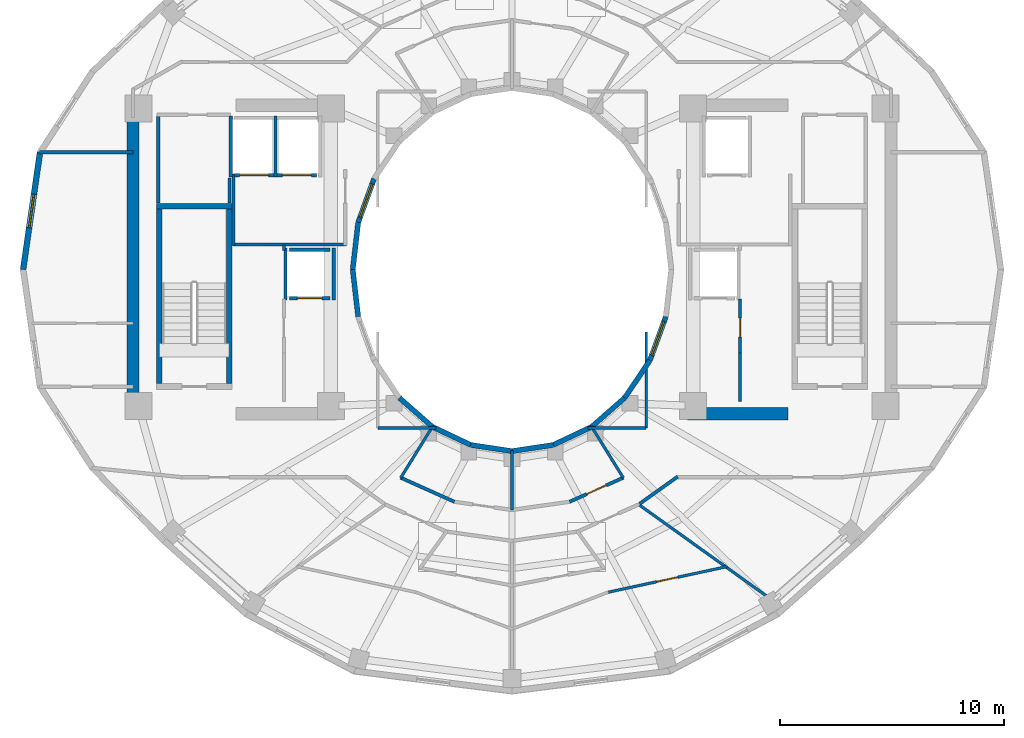
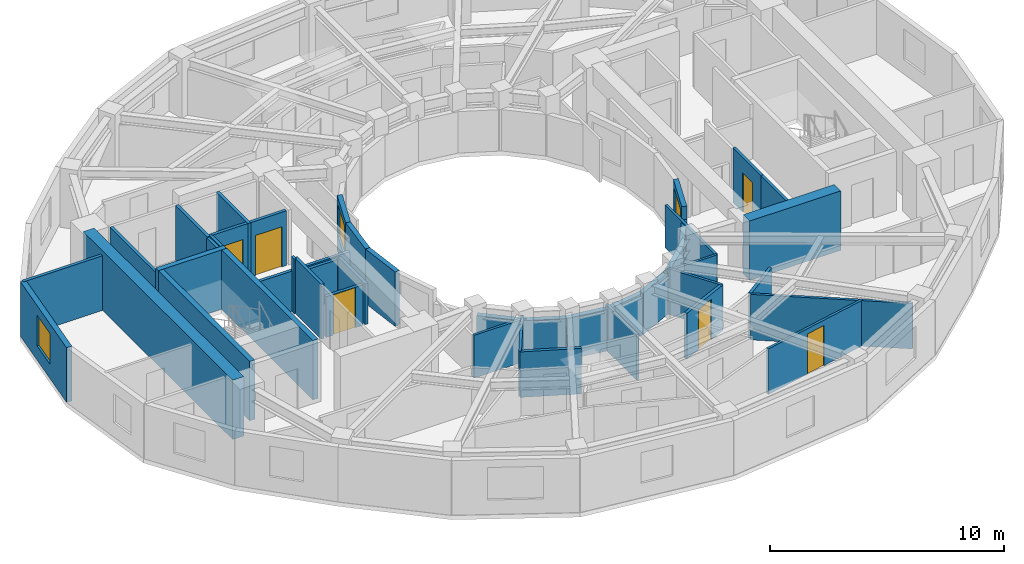
# One storey, part 4 of 9: 44 walls, 6 doors, 3 windows, 9 openings.
"""IFC4 building model written with IfcOpenShell, lengths in metres."""

import ifcopenshell
import ifcopenshell.guid

model = None  # the IFC model being written
_history = None  # IfcOwnerHistory: only IFC2X3 demands one
_inside = {}  # id of a spatial element -> (the spatial element, [elements in it])
_under = {}  # id of a project, library or spatial element -> (it, [spatial elements below it])
_declared = {}  # id of a project -> (the project, [libraries it declares])
_typed = {}  # id of a type object -> (the type object, [elements of that type])
_made_of = {}  # id of a material, layer set ... -> (it, [elements and type objects made of it])


def new_model(schema):
    """Start an empty IFC model of exactly this schema.

    Asked for "IFC4X3", IfcOpenShell would pick the latest addendum, in which some entities
    have other attributes; the version numbers below select the first issue.
    IFC2X3 requires an IfcOwnerHistory on every rooted entity: one is made here for all.
    """
    global model, _history
    if schema == "IFC4X3":
        model = ifcopenshell.file(schema_version=(4, 3, 0, 0))
    else:
        model = ifcopenshell.file(schema=schema)
    _inside.clear()
    _under.clear()
    _declared.clear()
    _typed.clear()
    _made_of.clear()
    _history = None
    if model.schema == "IFC2X3":
        org = make("IfcOrganization", Name="unknown")
        user = make(
            "IfcPersonAndOrganization",
            ThePerson=make("IfcPerson", FamilyName="unknown"),
            TheOrganization=org,
        )
        app = make(
            "IfcApplication",
            ApplicationDeveloper=org,
            Version="unknown",
            ApplicationFullName="unknown",
            ApplicationIdentifier="unknown",
        )
        _history = make(
            "IfcOwnerHistory",
            OwningUser=user,
            OwningApplication=app,
            ChangeAction="ADDED",
            CreationDate=0,
        )
    return model


def make(cls, **values):
    """One entity of the class cls with the attributes given. An attribute that is None is left unset."""
    return model.create_entity(
        cls, **{name: value for name, value in values.items() if value is not None}
    )


def rooted(cls, **values):
    """An entity with a GlobalId (a new one), such as an element, a storey or a relation."""
    return make(cls, GlobalId=ifcopenshell.guid.new(), OwnerHistory=_history, **values)


def si_unit(unit_type, name, prefix=None):
    """IfcSIUnit, for example si_unit("LENGTHUNIT", "METRE", prefix="MILLI")."""
    return make("IfcSIUnit", UnitType=unit_type, Prefix=prefix, Name=name)


def assignment(units):
    """IfcUnitAssignment: the units of a project."""
    return None if units is None else make("IfcUnitAssignment", Units=units)


def point(xyz):
    """IfcCartesianPoint."""
    return None if xyz is None else make("IfcCartesianPoint", Coordinates=xyz)


def direction(xyz):
    """IfcDirection."""
    return None if xyz is None else make("IfcDirection", DirectionRatios=xyz)


def frame(location, z_axis=None, x_axis=None):
    """IfcAxis2Placement3D, a coordinate frame: its origin and axes. An axis left out is left unset."""
    return make(
        "IfcAxis2Placement3D",
        Location=point(location),
        Axis=direction(z_axis),
        RefDirection=direction(x_axis),
    )


def frame_2d(location, x_axis=None):
    """IfcAxis2Placement2D, a coordinate frame in the plane: its origin and x axis."""
    return make(
        "IfcAxis2Placement2D", Location=point(location), RefDirection=direction(x_axis)
    )


def origin():
    """The frame at (0, 0, 0) with its axes left unset."""
    return frame((0.0, 0.0, 0.0))


def place(relative_to, where):
    """IfcLocalPlacement: puts the frame where relative to a parent placement (None: the world)."""
    return make(
        "IfcLocalPlacement", PlacementRelTo=relative_to, RelativePlacement=where
    )


def context(
    kind, dimensions, precision=None, world=None, true_north=None, identifier=None
):
    """IfcGeometricRepresentationContext, for example the 3D "Model" context."""
    return make(
        "IfcGeometricRepresentationContext",
        ContextIdentifier=identifier,
        ContextType=kind,
        CoordinateSpaceDimension=dimensions,
        Precision=precision,
        WorldCoordinateSystem=world,
        TrueNorth=true_north,
    )


def subcontext(parent, identifier, kind, view, scale=None):
    """IfcGeometricRepresentationSubContext, for example "Body" below "Model"."""
    return make(
        "IfcGeometricRepresentationSubContext",
        ContextIdentifier=identifier,
        ContextType=kind,
        ParentContext=parent,
        TargetScale=scale,
        TargetView=view,
    )


def project(units=None, contexts=None):
    """IfcProject with its units and contexts."""
    return rooted(
        "IfcProject",
        Name="project",
        RepresentationContexts=contexts,
        UnitsInContext=assignment(units),
    )


def spatial(cls, under=None, at=None, **own):
    """A site, building, storey or space (cls), placed at a placement, below another one or the project."""
    s = rooted(cls, ObjectPlacement=at, **own)
    if under is not None:
        _under.setdefault(under.id(), (under, []))[1].append(s)
    return s


def profile(cls, at=None, kind="AREA", **sizes):
    """A parametric profile (cls). Its sizes go by their IFC names, for example OverallWidth=200.0."""
    return make(cls, ProfileType=kind, Position=at, **sizes)


def rectangle(**sizes):
    """IfcRectangleProfileDef."""
    return profile("IfcRectangleProfileDef", **sizes)


def extrude(swept, where, along, depth):
    """IfcExtrudedAreaSolid: the profile swept, set in the frame where, extruded along a direction by depth."""
    return make(
        "IfcExtrudedAreaSolid",
        SweptArea=swept,
        Position=where,
        ExtrudedDirection=direction(along),
        Depth=depth,
    )


def shape(context_of_items, identifier, shape_type, items):
    """IfcShapeRepresentation: the items that make up one representation, for example the "Body"."""
    return make(
        "IfcShapeRepresentation",
        ContextOfItems=context_of_items,
        RepresentationIdentifier=identifier,
        RepresentationType=shape_type,
        Items=items,
    )


def material(Name=None, Category=None):
    """IfcMaterial."""
    return make("IfcMaterial", Name=Name, Category=Category)


def layer(
    of_material, thickness, ventilated=None, Name=None, Category=None, Priority=None
):
    """IfcMaterialLayer: one layer of a wall or slab, of a material (None: an air gap)."""
    return make(
        "IfcMaterialLayer",
        Material=of_material,
        LayerThickness=thickness,
        IsVentilated=ventilated,
        Name=Name,
        Category=Category,
        Priority=Priority,
    )


def layer_set(layers, Name=None):
    """IfcMaterialLayerSet."""
    return make("IfcMaterialLayerSet", MaterialLayers=layers, LayerSetName=Name)


def made_of(thing, what):
    """Note that an element or type object is made of a material, layer set ...; save() writes the relation."""
    if what is not None:
        _made_of.setdefault(what.id(), (what, []))[1].append(thing)
    return thing


def type_object(cls, material=None, **own):
    """A type object (cls), such as IfcWallType, which elements share."""
    return made_of(rooted(cls, **own), material)


def element(
    cls,
    number,
    at=None,
    inside=None,
    cuts=None,
    type_object=None,
    material=None,
    context=None,
    identifier="Body",
    shape_type=None,
    held_by="IfcProductDefinitionShape",
    body=None,
    shapes=None,
    **own,
):
    """One element of the class cls, such as IfcWall. Its Tag is "e" and its number.

    at: its placement. inside: the storey or other place that contains it. cuts: it is an
    opening in that element (IfcRelVoidsElement). A single representation is given by context,
    identifier, shape_type and body (its items); several are given by shapes. held_by: the class
    of the entity that holds the representations. save() writes the other relations.
    """
    e = rooted(cls, Tag="e%d" % number, ObjectPlacement=at, **own)
    if body is not None:
        shapes = [shape(context, identifier, shape_type, body)]
    if shapes is not None:
        e.Representation = make(held_by, Representations=shapes)
    if inside is not None:
        _inside.setdefault(inside.id(), (inside, []))[1].append(e)
    if cuts is not None:
        rooted(
            "IfcRelVoidsElement", RelatingBuildingElement=cuts, RelatedOpeningElement=e
        )
    if type_object is not None:
        _typed.setdefault(type_object.id(), (type_object, []))[1].append(e)
    return made_of(e, material)


def fill(opening, filler):
    """IfcRelFillsElement: the door or window that sits in an opening."""
    return rooted(
        "IfcRelFillsElement",
        RelatingOpeningElement=opening,
        RelatedBuildingElement=filler,
    )


def aggregate(whole, parts):
    """IfcRelAggregates: a whole, such as a stair, and the parts it consists of."""
    return rooted("IfcRelAggregates", RelatingObject=whole, RelatedObjects=parts)


def save(model, path):
    """Write the relations noted so far, then the file.

    IfcRelAggregates (storeys below a building ...), IfcRelContainedInSpatialStructure (elements
    in a storey), IfcRelDefinesByType, IfcRelAssociatesMaterial and IfcRelDeclares: one each for
    every whole, place, type object, material and project.
    """
    for whole, parts in _under.values():
        aggregate(whole, parts)
    for where, things in _inside.values():
        rooted(
            "IfcRelContainedInSpatialStructure",
            RelatedElements=things,
            RelatingStructure=where,
        )
    for kind, things in _typed.values():
        rooted("IfcRelDefinesByType", RelatedObjects=things, RelatingType=kind)
    for what, things in _made_of.values():
        rooted("IfcRelAssociatesMaterial", RelatedObjects=things, RelatingMaterial=what)
    for by, libraries in _declared.values():
        rooted("IfcRelDeclares", RelatingContext=by, RelatedDefinitions=libraries)
    model.write(path)


model = new_model("IFC4")

# Units and contexts
model_context = context("Model", 3, precision=1e-05, world=origin(), true_north=direction((0.0, 1.0)))
body_context = subcontext(model_context, "Body", "Model", "MODEL_VIEW")
ifc_project = project(units=[si_unit("LENGTHUNIT", "METRE"), si_unit("AREAUNIT", "SQUARE_METRE"), si_unit("VOLUMEUNIT", "CUBIC_METRE"), si_unit("PLANEANGLEUNIT", "RADIAN"), si_unit("MASSUNIT", "GRAM", prefix="KILO")], contexts=[model_context])

# Site, building, storey
site_placement = place(None, origin())
site = spatial("IfcSite", under=ifc_project, at=site_placement, CompositionType="ELEMENT")
building_placement = place(site_placement, origin())
building = spatial("IfcBuilding", under=site, at=building_placement, Name="Solvane Sanctuary Tower", CompositionType="ELEMENT")
storey_placement = place(building_placement, frame((0.0, 0.0, 223.300048828125)))
storey = spatial("IfcBuildingStorey", under=building, at=storey_placement, Name="L68", CompositionType="ELEMENT", Elevation=223.300048828125)

# Walls
ifc_material_1 = material(Name="Concrete C50/60", Category="concrete")
ifc_layer_1 = layer(ifc_material_1, 0.550048828125, Name="Concrete C50/60")
ifc_layer_set_1 = layer_set([ifc_layer_1], Name="Concrete C50/60")
wall_type_1 = type_object("IfcWallType", Name="Wall W-CORE-550", PredefinedType="SHEAR", material=ifc_layer_set_1)
wall_1_placement = place(storey_placement, frame((15.050048828125, 17.050048828125, 0.0), z_axis=(0.0, 0.0, 1.0), x_axis=(0.0, 1.0, 0.0)))
element("IfcWall", 1, at=wall_1_placement, inside=storey, type_object=wall_type_1, Name="L68 Core Shear Wall WC-W", PredefinedType="SHEAR", context=body_context, shape_type="SweptSolid", body=[
    extrude(rectangle(XDim=12.800048828125, YDim=0.550048828125, at=frame_2d((6.39990234375, 0.0))), origin(), (0.0, 0.0, 1.0), 3.099853515625),
])
wall_2_placement = place(storey_placement, frame((39.85009765625, 16.550048828125, 0.0), z_axis=(0.0, 0.0, 1.0), x_axis=(1.0, 0.0, 0.0)))
element("IfcWall", 2, at=wall_2_placement, inside=storey, type_object=wall_type_1, Name="L68 Core Shear Wall EC-S", PredefinedType="SHEAR", context=body_context, shape_type="SweptSolid", body=[
    extrude(rectangle(XDim=4.5, YDim=0.550048828125, at=frame_2d((2.25, 0.0))), origin(), (0.0, 0.0, 1.0), 3.099853515625),
])
ifc_material_2 = material(Name="Acoustic Gypsum Partition Board")
ifc_layer_2 = layer(ifc_material_2, 0.14990234375, Name="Acoustic Gypsum Partition Board")
ifc_layer_set_2 = layer_set([ifc_layer_2], Name="Acoustic Gypsum Partition Board")
wall_type_2 = type_object("IfcWallType", Name="Wall W-CORR-150", PredefinedType="PARTITIONING", material=ifc_layer_set_2)
wall_3_placement = place(storey_placement, frame((19.52001953125, 24.1201171875, 0.0), z_axis=(0.0, 0.0, 1.0), x_axis=(1.0, 0.0, 0.0)))
element("IfcWall", 3, at=wall_3_placement, inside=storey, type_object=wall_type_2, Name="L68 West Firefighting Lobby South Wall", PredefinedType="PARTITIONING", context=body_context, shape_type="SweptSolid", body=[
    extrude(rectangle(XDim=5.080078125, YDim=0.14990234375, at=frame_2d((2.5400390625, 0.0))), origin(), (0.0, 0.0, 1.0), 2.119873046875),
])
wall_4_placement = place(storey_placement, frame((19.550048828125, 24.080078125, 0.0), z_axis=(0.0, 0.0, 1.0), x_axis=(0.0, 1.0, 0.0)))
element("IfcWall", 4, at=wall_4_placement, inside=storey, type_object=wall_type_2, Name="L68 West Firefighting Lobby West Wall", PredefinedType="PARTITIONING", context=body_context, shape_type="SweptSolid", body=[
    extrude(rectangle(XDim=3.199951171875, YDim=0.14990234375, at=frame_2d((1.60009765625, 0.0))), origin(), (0.0, 0.0, 1.0), 2.85498046875),
])
wall_5_placement = place(storey_placement, frame((27.01904296875, 13.694091796875, 0.0), z_axis=(0.0, 0.0, 1.0), x_axis=(0.912628408652, -0.408790151203, 0.0)))
element("IfcWall", 5, at=wall_5_placement, inside=storey, type_object=wall_type_2, Name="L68 South Light-Well Corridor Wall 1", PredefinedType="PARTITIONING", context=body_context, shape_type="SweptSolid", body=[
    extrude(rectangle(XDim=2.637939453125, YDim=0.14990234375, at=frame_2d((1.31884765625, 0.0))), origin(), (0.0, 0.0, 1.0), 2.3759765625),
])

# Wall, opening, door
wall_6_placement = place(storey_placement, frame((34.573486328125, 12.61572265625, 0.0), z_axis=(0.0, 0.0, 1.0), x_axis=(0.912628408652, 0.408790151203, 0.0)))
wall_6 = element("IfcWall", 6, at=wall_6_placement, inside=storey, type_object=wall_type_2, Name="L68 South Light-Well Corridor Wall 2", PredefinedType="PARTITIONING", context=body_context, shape_type="SweptSolid", body=[
    extrude(rectangle(XDim=2.637939453125, YDim=0.14990234375, at=frame_2d((1.31884765625, 0.0))), origin(), (0.0, 0.0, 1.0), 2.3759765625),
])
opening_1_placement = place(wall_6_placement, frame((0.843994140625, 0.0, 0.0)))
opening_1 = element("IfcOpeningElement", 7, at=opening_1_placement, cuts=wall_6, Name="Opening D-L68-12", PredefinedType="OPENING", context=body_context, shape_type="SweptSolid", body=[
    extrude(rectangle(XDim=0.949951171875, YDim=2.10009765625, at=frame_2d((0.47509765625, 1.050048828125))), frame((0.0, 0.0849609375, 0.0), z_axis=(0.0, -1.0, 0.0), x_axis=(1.0, 0.0, 0.0)), (0.0, 0.0, 1.0), 0.169921875),
])
ifc_material_3 = material(Name="Engineered Tropical Hardwood", Category="wood")
door_type_1 = type_object("IfcDoorType", Name="Door D-ROOM-950", OperationType="NOTDEFINED", PredefinedType="DOOR", material=ifc_material_3)
door_1_placement = place(opening_1_placement, origin())
door_1 = element("IfcDoor", 8, at=door_1_placement, inside=storey, type_object=door_type_1, Name="L68 South Light-Well Alcove Door 2", OperationType="SINGLE_SWING_LEFT", OverallHeight=2.10009765625, OverallWidth=0.949951171875, PredefinedType="DOOR", context=body_context, shape_type="SweptSolid", body=[
    extrude(rectangle(XDim=0.949951171875, YDim=2.10009765625, at=frame_2d((0.47509765625, 1.050048828125))), frame((0.0, 0.02490234375, 0.0), z_axis=(0.0, -1.0, 0.0), x_axis=(1.0, 0.0, 0.0)), (0.0, 0.0, 1.0), 0.050048828125),
])
fill(opening_1, door_1)

# Walls
wall_7_placement = place(storey_placement, frame((10.87548828125, 28.245361328125, 0.0), z_axis=(0.0, 0.0, 1.0), x_axis=(1.0, 0.0, 0.0)))
element("IfcWall", 9, at=wall_7_placement, inside=storey, type_object=wall_type_2, Name="L68 West Shoulder North Wall", PredefinedType="PARTITIONING", context=body_context, shape_type="SweptSolid", body=[
    extrude(rectangle(XDim=4.174560546875, YDim=0.14990234375, at=frame_2d((2.08740234375, 0.0))), origin(), (0.0, 0.0, 1.0), 2.85498046875),
])
wall_8_placement = place(storey_placement, frame((37.709716796875, 12.527099609375, 0.0), z_axis=(0.0, 0.0, 1.0), x_axis=(0.813780999276, 0.581171648669, 0.0)))
element("IfcWall", 10, at=wall_8_placement, inside=storey, type_object=wall_type_2, Name="L68 SE Corner Throat Wall", PredefinedType="PARTITIONING", context=body_context, shape_type="SweptSolid", body=[
    extrude(rectangle(XDim=2.082275390625, YDim=0.14990234375, at=frame_2d((1.041015625, 0.0))), origin(), (0.0, 0.0, 1.0), 2.3759765625),
])

# Wall, opening, window
ifc_material_4 = material(Name="Precast concrete C40/50", Category="concrete")
ifc_layer_3 = layer(ifc_material_4, 0.260009765625, Name="Precast concrete C40/50")
ifc_layer_set_3 = layer_set([ifc_layer_3], Name="Precast concrete C40/50")
wall_type_3 = type_object("IfcWallType", Name="Wall W-EXT-250", PredefinedType="STANDARD", material=ifc_layer_set_3)
wall_9_placement = place(storey_placement, frame((10.895263671875, 28.23876953125, 0.0), z_axis=(0.0, 0.0, 1.0), x_axis=(-0.142712754019, -0.989764148593, 0.0)))
wall_9 = element("IfcWall", 11, at=wall_9_placement, inside=storey, type_object=wall_type_3, Name="L68 Ceramic-Printed Facade Wall 11", PredefinedType="STANDARD", context=body_context, shape_type="SweptSolid", body=[
    extrude(rectangle(XDim=5.29296875, YDim=0.260009765625, at=frame_2d((2.646484375, 0.0))), origin(), (0.0, 0.0, 1.0), 2.849853515625),
])
opening_2_placement = place(wall_9_placement, frame((1.896484375, 0.0, 0.75)))
opening_2 = element("IfcOpeningElement", 12, at=opening_2_placement, cuts=wall_9, Name="Opening WN-OPER-1500", PredefinedType="OPENING", context=body_context, shape_type="SweptSolid", body=[
    extrude(rectangle(XDim=1.5, YDim=1.60009765625, at=frame_2d((0.75, 0.800048828125))), frame((0.0, 0.139892578125, 0.0), z_axis=(0.0, -1.0, 0.0), x_axis=(1.0, 0.0, 0.0)), (0.0, 0.0, 1.0), 0.280029296875),
])
ifc_material_5 = material(Name="Dark Ceramic-Fritted Low-E Glass", Category="glass")
window_type_1 = type_object("IfcWindowType", Name="Window WN-OPER-1500", PartitioningType="SINGLE_PANEL", PredefinedType="WINDOW", material=ifc_material_5)
window_1_placement = place(opening_2_placement, origin())
window_1 = element("IfcWindow", 13, at=window_1_placement, inside=storey, type_object=window_type_1, Name="L68 Operable Facade Window 11", OverallHeight=1.60009765625, OverallWidth=1.5, PartitioningType="SINGLE_PANEL", PredefinedType="WINDOW", context=body_context, shape_type="SweptSolid", body=[
    extrude(rectangle(XDim=1.5, YDim=1.60009765625, at=frame_2d((0.75, 0.800048828125))), frame((0.0, 0.030029296875, 0.0), z_axis=(0.0, -1.0, 0.0), x_axis=(1.0, 0.0, 0.0)), (0.0, 0.0, 1.0), 0.06005859375),
])
fill(opening_2, window_1)

ifc_layer_4 = layer(ifc_material_4, 0.22998046875, Name="Precast concrete C40/50")
ifc_layer_set_4 = layer_set([ifc_layer_4], Name="Precast concrete C40/50")
wall_type_4 = type_object("IfcWallType", Name="Wall W-EXT-SP220", PredefinedType="STANDARD", material=ifc_layer_set_4)
wall_10_placement = place(storey_placement, frame((25.833984375, 27.06005859375, 0.0), z_axis=(0.0, 0.0, 1.0), x_axis=(-0.341423187295, -0.93990968033, 0.0)))
wall_10 = element("IfcWall", 14, at=wall_10_placement, inside=storey, type_object=wall_type_4, Name="L68 Central Light-Well Wall 10", PredefinedType="STANDARD", context=body_context, shape_type="SweptSolid", body=[
    extrude(rectangle(XDim=2.083740234375, YDim=0.22998046875, at=frame_2d((1.0419921875, 0.0))), origin(), (0.0, 0.0, 1.0), 2.83984375),
])
opening_3_placement = place(wall_10_placement, frame((0.24169921875, 0.0, 0.85009765625)))
opening_3 = element("IfcOpeningElement", 15, at=opening_3_placement, cuts=wall_10, Name="Opening WN-WELL-1600", PredefinedType="OPENING", context=body_context, shape_type="SweptSolid", body=[
    extrude(rectangle(XDim=1.60009765625, YDim=1.64990234375, at=frame_2d((0.800048828125, 0.824951171875))), frame((0.0, 0.125, 0.0), z_axis=(0.0, -1.0, 0.0), x_axis=(1.0, 0.0, 0.0)), (0.0, 0.0, 1.0), 0.25),
])
ifc_material_6 = material(Name="Clear Laminated Light-Well Glass", Category="glass")
window_type_2 = type_object("IfcWindowType", Name="Window WN-WELL-1600", PartitioningType="SINGLE_PANEL", PredefinedType="WINDOW", material=ifc_material_6)
window_2_placement = place(opening_3_placement, origin())
window_2 = element("IfcWindow", 16, at=window_2_placement, inside=storey, type_object=window_type_2, Name="L68 Light-Well Daylight Window 10", OverallHeight=1.64990234375, OverallWidth=1.60009765625, PartitioningType="SINGLE_PANEL", PredefinedType="WINDOW", context=body_context, shape_type="SweptSolid", body=[
    extrude(rectangle(XDim=1.60009765625, YDim=1.64990234375, at=frame_2d((0.800048828125, 0.824951171875))), frame((0.0, 0.030029296875, 0.0), z_axis=(0.0, -1.0, 0.0), x_axis=(1.0, 0.0, 0.0)), (0.0, 0.0, 1.0), 0.06005859375),
])
fill(opening_3, window_2)

# Walls
for number, where, z_axis, x_axis, name in (
    (17, (25.12255859375, 25.1015625, 0.0), (0.0, 0.0, 1.0), (-0.114711713601, -0.993398823617, 0.0), "L68 Central Light-Well Wall 11"),
    (18, (24.8798828125, 23.0, 0.0), (0.0, 0.0, 1.0), (0.114711713601, -0.993398823617, 0.0), "L68 Central Light-Well Wall 12"),
):
    element("IfcWall", number, at=place(storey_placement, frame(where, z_axis=z_axis, x_axis=x_axis)), inside=storey, type_object=wall_type_4, Name=name, PredefinedType="STANDARD", context=body_context, shape_type="SweptSolid", body=[
        extrude(rectangle(XDim=2.115478515625, YDim=0.22998046875, at=frame_2d((1.0576171875, 0.0))), origin(), (0.0, 0.0, 1.0), 2.83984375),
    ])
wall_11_placement = place(storey_placement, frame((26.96533203125, 17.25830078125, 0.0), z_axis=(0.0, 0.0, 1.0), x_axis=(0.752576694707, -0.658504607869, 0.0)))
element("IfcWall", 19, at=wall_11_placement, inside=storey, type_object=wall_type_4, Name="L68 Central Light-Well Wall 15", PredefinedType="STANDARD", context=body_context, shape_type="SweptSolid", body=[
    extrude(rectangle(XDim=1.95947265625, YDim=0.22998046875, at=frame_2d((0.979736328125, 0.0))), origin(), (0.0, 0.0, 1.0), 2.159912109375),
])
wall_12_placement = place(storey_placement, frame((28.43994140625, 15.968017578125, 0.0), z_axis=(0.0, 0.0, 1.0), x_axis=(0.904179699603, -0.427152280606, 0.0)))
element("IfcWall", 20, at=wall_12_placement, inside=storey, type_object=wall_type_4, Name="L68 Central Light-Well Wall 16", PredefinedType="STANDARD", context=body_context, shape_type="SweptSolid", body=[
    extrude(rectangle(XDim=1.899169921875, YDim=0.22998046875, at=frame_2d((0.94970703125, 0.0))), origin(), (0.0, 0.0, 1.0), 2.159912109375),
])
for number, where, z_axis, x_axis, name in (
    (21, (30.1572265625, 15.15673828125, 0.0), (0.0, 0.0, 1.0), (0.988901730308, -0.148571086668, 0.0), "L68 Central Light-Well Wall 17"),
    (22, (32.0, 14.8798828125, 0.0), (0.0, 0.0, 1.0), (0.988901730308, 0.148571086668, 0.0), "L68 Central Light-Well Wall 18"),
):
    element("IfcWall", number, at=place(storey_placement, frame(where, z_axis=z_axis, x_axis=x_axis)), inside=storey, type_object=wall_type_4, Name=name, PredefinedType="STANDARD", context=body_context, shape_type="SweptSolid", body=[
        extrude(rectangle(XDim=1.863525390625, YDim=0.22998046875, at=frame_2d((0.931640625, 0.0))), origin(), (0.0, 0.0, 1.0), 2.159912109375),
    ])
wall_13_placement = place(storey_placement, frame((33.8427734375, 15.15673828125, 0.0), z_axis=(0.0, 0.0, 1.0), x_axis=(0.904179699603, 0.427152280606, 0.0)))
element("IfcWall", 23, at=wall_13_placement, inside=storey, type_object=wall_type_4, Name="L68 Central Light-Well Wall 19", PredefinedType="STANDARD", context=body_context, shape_type="SweptSolid", body=[
    extrude(rectangle(XDim=1.899169921875, YDim=0.22998046875, at=frame_2d((0.94970703125, 0.0))), origin(), (0.0, 0.0, 1.0), 2.159912109375),
])
wall_14_placement = place(storey_placement, frame((35.56005859375, 15.968017578125, 0.0), z_axis=(0.0, 0.0, 1.0), x_axis=(0.752576694707, 0.658504607869, 0.0)))
element("IfcWall", 24, at=wall_14_placement, inside=storey, type_object=wall_type_4, Name="L68 Central Light-Well Wall 20", PredefinedType="STANDARD", context=body_context, shape_type="SweptSolid", body=[
    extrude(rectangle(XDim=1.95947265625, YDim=0.22998046875, at=frame_2d((0.979736328125, 0.0))), origin(), (0.0, 0.0, 1.0), 2.159912109375),
])
wall_15_placement = place(storey_placement, frame((37.03466796875, 17.25830078125, 0.0), z_axis=(0.0, 0.0, 1.0), x_axis=(0.558197800898, 0.829707909492, 0.0)))
element("IfcWall", 25, at=wall_15_placement, inside=storey, type_object=wall_type_4, Name="L68 Central Light-Well Wall 21", PredefinedType="STANDARD", context=body_context, shape_type="SweptSolid", body=[
    extrude(rectangle(XDim=2.02685546875, YDim=0.22998046875, at=frame_2d((1.013427734375, 0.0))), origin(), (0.0, 0.0, 1.0), 2.159912109375),
])

# Wall, opening, window
wall_16_placement = place(storey_placement, frame((38.166015625, 18.93994140625, 0.0), z_axis=(0.0, 0.0, 1.0), x_axis=(0.341423187295, 0.93990968033, 0.0)))
wall_16 = element("IfcWall", 26, at=wall_16_placement, inside=storey, type_object=wall_type_4, Name="L68 Central Light-Well Wall 22", PredefinedType="STANDARD", context=body_context, shape_type="SweptSolid", body=[
    extrude(rectangle(XDim=2.083740234375, YDim=0.22998046875, at=frame_2d((1.0419921875, 0.0))), origin(), (0.0, 0.0, 1.0), 2.83984375),
])
opening_4_placement = place(wall_16_placement, frame((0.24169921875, 0.0, 0.85009765625)))
opening_4 = element("IfcOpeningElement", 27, at=opening_4_placement, cuts=wall_16, Name="Opening WN-WELL-1600", PredefinedType="OPENING", context=body_context, shape_type="SweptSolid", body=[
    extrude(rectangle(XDim=1.60009765625, YDim=1.64990234375, at=frame_2d((0.800048828125, 0.824951171875))), frame((0.0, 0.125, 0.0), z_axis=(0.0, -1.0, 0.0), x_axis=(1.0, 0.0, 0.0)), (0.0, 0.0, 1.0), 0.25),
])
window_3_placement = place(opening_4_placement, origin())
window_3 = element("IfcWindow", 28, at=window_3_placement, inside=storey, type_object=window_type_2, Name="L68 Light-Well Daylight Window 22", OverallHeight=1.64990234375, OverallWidth=1.60009765625, PartitioningType="SINGLE_PANEL", PredefinedType="WINDOW", context=body_context, shape_type="SweptSolid", body=[
    extrude(rectangle(XDim=1.60009765625, YDim=1.64990234375, at=frame_2d((0.800048828125, 0.824951171875))), frame((0.0, 0.030029296875, 0.0), z_axis=(0.0, -1.0, 0.0), x_axis=(1.0, 0.0, 0.0)), (0.0, 0.0, 1.0), 0.06005859375),
])
fill(opening_4, window_3)

# Wall, opening, door
ifc_layer_5 = layer(ifc_material_2, 0.1201171875, Name="Acoustic Gypsum Partition Board")
ifc_layer_set_5 = layer_set([ifc_layer_5], Name="Acoustic Gypsum Partition Board")
wall_type_5 = type_object("IfcWallType", Name="Wall W-MOV-100", PredefinedType="MOVABLE", material=ifc_layer_set_5)
wall_17_placement = place(storey_placement, frame((36.279296875, 8.5673828125, 0.0), z_axis=(0.0, 0.0, 1.0), x_axis=(0.977534972695, 0.210773283785, 0.0)))
wall_17 = element("IfcWall", 29, at=wall_17_placement, inside=storey, type_object=wall_type_5, Name="L68 Suite Sitting Lounge Partition S2", PredefinedType="MOVABLE", context=body_context, shape_type="SweptSolid", body=[
    extrude(rectangle(XDim=5.453369140625, YDim=0.1201171875, at=frame_2d((2.7265625, 0.0))), origin(), (0.0, 0.0, 1.0), 2.3759765625),
])
opening_5_placement = place(wall_17_placement, frame((2.251708984375, 0.0, 0.0)))
opening_5 = element("IfcOpeningElement", 30, at=opening_5_placement, cuts=wall_17, Name="Opening D-L68-30", PredefinedType="OPENING", context=body_context, shape_type="SweptSolid", body=[
    extrude(rectangle(XDim=0.949951171875, YDim=2.10009765625, at=frame_2d((0.47509765625, 1.050048828125))), frame((0.0, 0.070068359375, 0.0), z_axis=(0.0, -1.0, 0.0), x_axis=(1.0, 0.0, 0.0)), (0.0, 0.0, 1.0), 0.14013671875),
])
door_2_placement = place(opening_5_placement, origin())
door_2 = element("IfcDoor", 31, at=door_2_placement, inside=storey, type_object=door_type_1, Name="L68 Suite Sitting Lounge Door S2", OperationType="SINGLE_SWING_LEFT", OverallHeight=2.10009765625, OverallWidth=0.949951171875, PredefinedType="DOOR", context=body_context, shape_type="SweptSolid", body=[
    extrude(rectangle(XDim=0.949951171875, YDim=2.10009765625, at=frame_2d((0.47509765625, 1.050048828125))), frame((0.0, 0.02490234375, 0.0), z_axis=(0.0, -1.0, 0.0), x_axis=(1.0, 0.0, 0.0)), (0.0, 0.0, 1.0), 0.050048828125),
])
fill(opening_5, door_2)

# Wall
ifc_layer_6 = layer(ifc_material_2, 0.125, Name="Acoustic Gypsum Partition Board")
ifc_layer_set_6 = layer_set([ifc_layer_6], Name="Acoustic Gypsum Partition Board")
wall_type_6 = type_object("IfcWallType", Name="Wall W-PART-125", PredefinedType="PARTITIONING", material=ifc_layer_set_6)
wall_18_placement = place(storey_placement, frame((21.800048828125, 23.85009765625, 0.0), z_axis=(0.0, 0.0, 1.0), x_axis=(0.0, 1.0, 0.0)))
element("IfcWall", 32, at=wall_18_placement, inside=storey, type_object=wall_type_6, Name="L68 Reclaimed Room Dividing Wall PMW", PredefinedType="PARTITIONING", context=body_context, shape_type="SweptSolid", body=[
    extrude(rectangle(XDim=0.25, YDim=0.125, at=frame_2d((0.125, 0.0))), origin(), (0.0, 0.0, 1.0), 2.85498046875),
])

# Wall, opening, door
wall_19_placement = place(storey_placement, frame((42.199951171875, 19.280029296875, 0.0), z_axis=(0.0, 0.0, 1.0), x_axis=(0.0, 1.0, 0.0)))
wall_19 = element("IfcWall", 33, at=wall_19_placement, inside=storey, type_object=wall_type_6, Name="L68 Reclaimed Room Partition PME", PredefinedType="PARTITIONING", context=body_context, shape_type="SweptSolid", body=[
    extrude(rectangle(XDim=2.39990234375, YDim=0.125, at=frame_2d((1.199951171875, 0.0))), origin(), (0.0, 0.0, 1.0), 2.85498046875),
])
opening_6_placement = place(wall_19_placement, frame((0.699951171875, 0.0, 0.0)))
opening_6 = element("IfcOpeningElement", 34, at=opening_6_placement, cuts=wall_19, Name="Opening D-L68-06", PredefinedType="OPENING", context=body_context, shape_type="SweptSolid", body=[
    extrude(rectangle(XDim=0.85009765625, YDim=2.050048828125, at=frame_2d((0.425048828125, 1.02490234375))), frame((0.0, 0.072509765625, 0.0), z_axis=(0.0, -1.0, 0.0), x_axis=(1.0, 0.0, 0.0)), (0.0, 0.0, 1.0), 0.14501953125),
])
ifc_material_7 = material(Name="Architectural Stainless Steel 316", Category="steel")
door_type_2 = type_object("IfcDoorType", Name="Door D-RISER", OperationType="NOTDEFINED", PredefinedType="DOOR", material=ifc_material_7)
door_3_placement = place(opening_6_placement, origin())
door_3 = element("IfcDoor", 35, at=door_3_placement, inside=storey, type_object=door_type_2, Name="L68 Reclaimed Room Door PME-1", OperationType="SINGLE_SWING_LEFT", OverallHeight=2.050048828125, OverallWidth=0.85009765625, PredefinedType="DOOR", context=body_context, shape_type="SweptSolid", body=[
    extrude(rectangle(XDim=0.85009765625, YDim=2.050048828125, at=frame_2d((0.425048828125, 1.02490234375))), frame((0.0, 0.02490234375, 0.0), z_axis=(0.0, -1.0, 0.0), x_axis=(1.0, 0.0, 0.0)), (0.0, 0.0, 1.0), 0.050048828125),
])
fill(opening_6, door_3)

# Walls
wall_20_placement = place(storey_placement, frame((42.199951171875, 17.10009765625, 0.0), z_axis=(0.0, 0.0, 1.0), x_axis=(0.0, 1.0, 0.0)))
element("IfcWall", 36, at=wall_20_placement, inside=storey, type_object=wall_type_6, Name="L68 Reclaimed Room Closer Wall PME-1", PredefinedType="PARTITIONING", context=body_context, shape_type="SweptSolid", body=[
    extrude(rectangle(XDim=2.179931640625, YDim=0.125, at=frame_2d((1.08984375, 0.0))), origin(), (0.0, 0.0, 1.0), 2.85498046875),
])
wall_21_placement = place(storey_placement, frame((28.449951171875, 15.985107421875, 0.0), z_axis=(0.0, 0.0, 1.0), x_axis=(-0.527527080983, -0.849538215049, 0.0)))
element("IfcWall", 37, at=wall_21_placement, inside=storey, type_object=wall_type_6, Name="L68 South Light-Well Radial Wall 240", PredefinedType="PARTITIONING", context=body_context, shape_type="SweptSolid", body=[
    extrude(rectangle(XDim=2.701416015625, YDim=0.125, at=frame_2d((1.3505859375, 0.0))), origin(), (0.0, 0.0, 1.0), 2.3759765625),
])
wall_22_placement = place(storey_placement, frame((32.0, 14.89990234375, 0.0), z_axis=(0.0, 0.0, 1.0), x_axis=(0.0, -1.0, 0.0)))
element("IfcWall", 38, at=wall_22_placement, inside=storey, type_object=wall_type_6, Name="L68 South Light-Well Radial Wall 270", PredefinedType="PARTITIONING", context=body_context, shape_type="SweptSolid", body=[
    extrude(rectangle(XDim=2.64990234375, YDim=0.125, at=frame_2d((1.324951171875, 0.0))), origin(), (0.0, 0.0, 1.0), 2.3759765625),
])
wall_23_placement = place(storey_placement, frame((35.550048828125, 15.985107421875, 0.0), z_axis=(0.0, 0.0, 1.0), x_axis=(0.527527080983, -0.849538215049, 0.0)))
element("IfcWall", 39, at=wall_23_placement, inside=storey, type_object=wall_type_6, Name="L68 South Light-Well Radial Wall 300", PredefinedType="PARTITIONING", context=body_context, shape_type="SweptSolid", body=[
    extrude(rectangle(XDim=2.701416015625, YDim=0.125, at=frame_2d((1.3505859375, 0.0))), origin(), (0.0, 0.0, 1.0), 2.3759765625),
])
wall_24_placement = place(storey_placement, frame((26.0, 15.919921875, 0.0), z_axis=(0.0, 0.0, 1.0), x_axis=(1.0, 0.0, 0.0)))
element("IfcWall", 40, at=wall_24_placement, inside=storey, type_object=wall_type_6, Name="L68 Bridge Alcove Wall 6", PredefinedType="PARTITIONING", context=body_context, shape_type="SweptSolid", body=[
    extrude(rectangle(XDim=2.60009765625, YDim=0.125, at=frame_2d((1.300048828125, 0.0))), origin(), (0.0, 0.0, 1.0), 2.23193359375),
])
wall_25_placement = place(storey_placement, frame((38.0, 15.919921875, 0.0), z_axis=(0.0, 0.0, 1.0), x_axis=(0.0, 1.0, 0.0)))
element("IfcWall", 41, at=wall_25_placement, inside=storey, type_object=wall_type_6, Name="L68 Bridge Alcove Wall 7", PredefinedType="PARTITIONING", context=body_context, shape_type="SweptSolid", body=[
    extrude(rectangle(XDim=4.280029296875, YDim=0.125, at=frame_2d((2.14013671875, 0.0))), origin(), (0.0, 0.0, 1.0), 2.23193359375),
])
wall_26_placement = place(storey_placement, frame((35.39990234375, 15.919921875, 0.0), z_axis=(0.0, 0.0, 1.0), x_axis=(1.0, 0.0, 0.0)))
element("IfcWall", 42, at=wall_26_placement, inside=storey, type_object=wall_type_6, Name="L68 Bridge Alcove Wall 8", PredefinedType="PARTITIONING", context=body_context, shape_type="SweptSolid", body=[
    extrude(rectangle(XDim=2.60009765625, YDim=0.125, at=frame_2d((1.300048828125, 0.0))), origin(), (0.0, 0.0, 1.0), 2.23193359375),
])
wall_27_placement = place(storey_placement, frame((37.709716796875, 12.463134765625, 0.0), z_axis=(0.0, 0.0, 1.0), x_axis=(0.813163816543, -0.582034885093, 0.0)))
element("IfcWall", 43, at=wall_27_placement, inside=storey, type_object=wall_type_6, Name="L68 Radial Compartment Wall 300", PredefinedType="PARTITIONING", context=body_context, shape_type="SweptSolid", body=[
    extrude(rectangle(XDim=6.95458984375, YDim=0.125, at=frame_2d((3.477294921875, 0.0))), origin(), (0.0, 0.0, 1.0), 2.3759765625),
])

# Wall, opening, door
ifc_layer_7 = layer(ifc_material_1, 0.14990234375, Name="Concrete C50/60")
ifc_layer_set_7 = layer_set([ifc_layer_7], Name="Concrete C50/60")
wall_type_7 = type_object("IfcWallType", Name="Wall W-SHAFT-150", PredefinedType="SOLIDWALL", material=ifc_layer_set_7)
wall_28_placement = place(storey_placement, frame((22.0400390625, 21.719970703125, 0.0), z_axis=(0.0, 0.0, 1.0), x_axis=(1.0, 0.0, 0.0)))
wall_28 = element("IfcWall", 44, at=wall_28_placement, inside=storey, type_object=wall_type_7, Name="L68 PH-1 Lift Shaft Wall F", PredefinedType="SOLIDWALL", context=body_context, shape_type="SweptSolid", body=[
    extrude(rectangle(XDim=1.820068359375, YDim=0.14990234375, at=frame_2d((0.91015625, 0.0))), origin(), (0.0, 0.0, 1.0), 2.119873046875),
])
opening_7_placement = place(wall_28_placement, frame((0.360107421875, 0.0, 0.0)))
opening_7 = element("IfcOpeningElement", 45, at=opening_7_placement, cuts=wall_28, Name="Opening LD-L68-01", PredefinedType="OPENING", context=body_context, shape_type="SweptSolid", body=[
    extrude(rectangle(XDim=1.10009765625, YDim=2.10009765625, at=frame_2d((0.550048828125, 1.050048828125))), frame((0.0, 0.0849609375, 0.0), z_axis=(0.0, -1.0, 0.0), x_axis=(1.0, 0.0, 0.0)), (0.0, 0.0, 1.0), 0.169921875),
])
door_type_3 = type_object("IfcDoorType", Name="Door LD-PASS-1100", OperationType="NOTDEFINED", PredefinedType="DOOR", material=ifc_material_7)
door_4_placement = place(opening_7_placement, origin())
door_4 = element("IfcDoor", 46, at=door_4_placement, inside=storey, type_object=door_type_3, Name="L68 PH-1 Lift Landing Door", OperationType="DOUBLE_DOOR_SLIDING", OverallHeight=2.10009765625, OverallWidth=1.10009765625, PredefinedType="DOOR", context=body_context, shape_type="SweptSolid", body=[
    extrude(rectangle(XDim=1.10009765625, YDim=2.10009765625, at=frame_2d((0.550048828125, 1.050048828125))), frame((0.0, 0.02490234375, 0.0), z_axis=(0.0, -1.0, 0.0), x_axis=(1.0, 0.0, 0.0)), (0.0, 0.0, 1.0), 0.050048828125),
])
fill(opening_7, door_4)

# Walls
wall_29_placement = place(storey_placement, frame((22.0400390625, 23.8798828125, 0.0), z_axis=(0.0, 0.0, 1.0), x_axis=(1.0, 0.0, 0.0)))
element("IfcWall", 47, at=wall_29_placement, inside=storey, type_object=wall_type_7, Name="L68 PH-1 Lift Shaft Wall B", PredefinedType="SOLIDWALL", context=body_context, shape_type="SweptSolid", body=[
    extrude(rectangle(XDim=1.820068359375, YDim=0.14990234375, at=frame_2d((0.91015625, 0.0))), origin(), (0.0, 0.0, 1.0), 2.119873046875),
])
wall_30_placement = place(storey_placement, frame((21.8701171875, 21.639892578125, 0.0), z_axis=(0.0, 0.0, 1.0), x_axis=(0.0, 1.0, 0.0)))
element("IfcWall", 48, at=wall_30_placement, inside=storey, type_object=wall_type_7, Name="L68 PH-1 Lift Shaft Wall S1", PredefinedType="SOLIDWALL", context=body_context, shape_type="SweptSolid", body=[
    extrude(rectangle(XDim=2.320068359375, YDim=0.14990234375, at=frame_2d((1.16015625, 0.0))), origin(), (0.0, 0.0, 1.0), 2.85498046875),
])
wall_31_placement = place(storey_placement, frame((24.030029296875, 21.639892578125, 0.0), z_axis=(0.0, 0.0, 1.0), x_axis=(0.0, 1.0, 0.0)))
element("IfcWall", 49, at=wall_31_placement, inside=storey, type_object=wall_type_7, Name="L68 PH-1 Lift Shaft Wall S2", PredefinedType="SOLIDWALL", context=body_context, shape_type="SweptSolid", body=[
    extrude(rectangle(XDim=2.320068359375, YDim=0.14990234375, at=frame_2d((1.16015625, 0.0))), origin(), (0.0, 0.0, 1.0), 2.119873046875),
])

# Wall, opening, door
wall_32_placement = place(storey_placement, frame((19.590087890625, 27.219970703125, 0.0), z_axis=(0.0, 0.0, 1.0), x_axis=(1.0, 0.0, 0.0)))
wall_32 = element("IfcWall", 50, at=wall_32_placement, inside=storey, type_object=wall_type_7, Name="L68 FFL-1 Lift Shaft Wall F", PredefinedType="SOLIDWALL", context=body_context, shape_type="SweptSolid", body=[
    extrude(rectangle(XDim=1.760009765625, YDim=0.14990234375, at=frame_2d((0.8798828125, 0.0))), origin(), (0.0, 0.0, 1.0), 2.85498046875),
])
opening_8_placement = place(wall_32_placement, frame((0.22998046875, 0.0, 0.0)))
opening_8 = element("IfcOpeningElement", 51, at=opening_8_placement, cuts=wall_32, Name="Opening LD-L68-03", PredefinedType="OPENING", context=body_context, shape_type="SweptSolid", body=[
    extrude(rectangle(XDim=1.300048828125, YDim=2.10009765625, at=frame_2d((0.64990234375, 1.050048828125))), frame((0.0, 0.0849609375, 0.0), z_axis=(0.0, -1.0, 0.0), x_axis=(1.0, 0.0, 0.0)), (0.0, 0.0, 1.0), 0.169921875),
])
door_type_4 = type_object("IfcDoorType", Name="Door LD-FFL-1300", OperationType="NOTDEFINED", PredefinedType="DOOR", material=ifc_material_7)
door_5_placement = place(opening_8_placement, origin())
door_5 = element("IfcDoor", 52, at=door_5_placement, inside=storey, type_object=door_type_4, Name="L68 FFL-1 Lift Landing Door", OperationType="DOUBLE_DOOR_SLIDING", OverallHeight=2.10009765625, OverallWidth=1.300048828125, PredefinedType="DOOR", context=body_context, shape_type="SweptSolid", body=[
    extrude(rectangle(XDim=1.300048828125, YDim=2.10009765625, at=frame_2d((0.64990234375, 1.050048828125))), frame((0.0, 0.02490234375, 0.0), z_axis=(0.0, -1.0, 0.0), x_axis=(1.0, 0.0, 0.0)), (0.0, 0.0, 1.0), 0.050048828125),
])
fill(opening_8, door_5)

# Walls
for number, where, z_axis, x_axis, name in (
    (53, (19.419921875, 27.139892578125, 0.0), (0.0, 0.0, 1.0), (0.0, 1.0, 0.0), "L68 FFL-1 Lift Shaft Wall S1"),
    (54, (21.425048828125, 27.139892578125, 0.0), (0.0, 0.0, 1.0), (0.0, 1.0, 0.0), "L68 FFL-1 Lift Shaft Wall S2"),
):
    element("IfcWall", number, at=place(storey_placement, frame(where, z_axis=z_axis, x_axis=x_axis)), inside=storey, type_object=wall_type_7, Name=name, PredefinedType="SOLIDWALL", context=body_context, shape_type="SweptSolid", body=[
        extrude(rectangle(XDim=2.72021484375, YDim=0.14990234375, at=frame_2d((1.360107421875, 0.0))), origin(), (0.0, 0.0, 1.0), 2.85498046875),
    ])

# Wall, opening, door
wall_33_placement = place(storey_placement, frame((21.5, 27.219970703125, 0.0), z_axis=(0.0, 0.0, 1.0), x_axis=(1.0, 0.0, 0.0)))
wall_33 = element("IfcWall", 55, at=wall_33_placement, inside=storey, type_object=wall_type_7, Name="L68 SVL-1 Lift Shaft Wall F", PredefinedType="SOLIDWALL", context=body_context, shape_type="SweptSolid", body=[
    extrude(rectangle(XDim=1.760009765625, YDim=0.14990234375, at=frame_2d((0.8798828125, 0.0))), origin(), (0.0, 0.0, 1.0), 2.85498046875),
])
opening_9_placement = place(wall_33_placement, frame((0.22998046875, 0.0, 0.0)))
opening_9 = element("IfcOpeningElement", 56, at=opening_9_placement, cuts=wall_33, Name="Opening LD-L68-04", PredefinedType="OPENING", context=body_context, shape_type="SweptSolid", body=[
    extrude(rectangle(XDim=1.300048828125, YDim=2.10009765625, at=frame_2d((0.64990234375, 1.050048828125))), frame((0.0, 0.0849609375, 0.0), z_axis=(0.0, -1.0, 0.0), x_axis=(1.0, 0.0, 0.0)), (0.0, 0.0, 1.0), 0.169921875),
])
door_6_placement = place(opening_9_placement, origin())
door_6 = element("IfcDoor", 57, at=door_6_placement, inside=storey, type_object=door_type_4, Name="L68 SVL-1 Lift Landing Door", OperationType="DOUBLE_DOOR_SLIDING", OverallHeight=2.10009765625, OverallWidth=1.300048828125, PredefinedType="DOOR", context=body_context, shape_type="SweptSolid", body=[
    extrude(rectangle(XDim=1.300048828125, YDim=2.10009765625, at=frame_2d((0.64990234375, 1.050048828125))), frame((0.0, 0.02490234375, 0.0), z_axis=(0.0, -1.0, 0.0), x_axis=(1.0, 0.0, 0.0)), (0.0, 0.0, 1.0), 0.050048828125),
])
fill(opening_9, door_6)

# Walls
ifc_layer_8 = layer(ifc_material_1, 0.25, Name="Concrete C50/60")
ifc_layer_set_8 = layer_set([ifc_layer_8], Name="Concrete C50/60")
wall_type_8 = type_object("IfcWallType", Name="Wall W-SHAFT-250", PredefinedType="SOLIDWALL", material=ifc_layer_set_8)
wall_34_placement = place(storey_placement, frame((16.10498046875, 25.830078125, 0.0), z_axis=(0.0, 0.0, 1.0), x_axis=(1.0, 0.0, 0.0)))
element("IfcWall", 58, at=wall_34_placement, inside=storey, type_object=wall_type_8, Name="L68 ST-1 Load-Bearing Shaft Wall N", PredefinedType="SOLIDWALL", context=body_context, shape_type="SweptSolid", body=[
    extrude(rectangle(XDim=3.3701171875, YDim=0.25, at=frame_2d((1.68505859375, 0.0))), origin(), (0.0, 0.0, 1.0), 3.099853515625),
])
for number, where, z_axis, x_axis, name in (
    (59, (16.22998046875, 17.89501953125, 0.0), (0.0, 0.0, 1.0), (0.0, 1.0, 0.0), "L68 ST-1 Load-Bearing Shaft Wall W"),
    (60, (19.35009765625, 17.89501953125, 0.0), (0.0, 0.0, 1.0), (0.0, 1.0, 0.0), "L68 ST-1 Load-Bearing Shaft Wall E"),
):
    element("IfcWall", number, at=place(storey_placement, frame(where, z_axis=z_axis, x_axis=x_axis)), inside=storey, type_object=wall_type_8, Name=name, PredefinedType="SOLIDWALL", context=body_context, shape_type="SweptSolid", body=[
        extrude(rectangle(XDim=7.81005859375, YDim=0.25, at=frame_2d((3.905029296875, 0.0))), origin(), (0.0, 0.0, 1.0), 3.099853515625),
    ])
ifc_layer_9 = layer(ifc_material_2, 0.139892578125, Name="Acoustic Gypsum Partition Board")
ifc_layer_set_9 = layer_set([ifc_layer_9], Name="Acoustic Gypsum Partition Board")
wall_type_9 = type_object("IfcWallType", Name="Wall W-WET-140", PredefinedType="PLUMBINGWALL", material=ifc_layer_set_9)
wall_35_placement = place(storey_placement, frame((16.179931640625, 25.97998046875, 0.0), z_axis=(0.0, 0.0, 1.0), x_axis=(0.0, 1.0, 0.0)))
element("IfcWall", 61, at=wall_35_placement, inside=storey, type_object=wall_type_9, Name="L68 Core Service Side Wall KW0-1", PredefinedType="PLUMBINGWALL", context=body_context, shape_type="SweptSolid", body=[
    extrude(rectangle(XDim=3.880126953125, YDim=0.139892578125, at=frame_2d((1.93994140625, 0.0))), origin(), (0.0, 0.0, 1.0), 2.85498046875),
])
wall_36_placement = place(storey_placement, frame((19.360107421875, 25.97998046875, 0.0), z_axis=(0.0, 0.0, 1.0), x_axis=(0.0, 1.0, 0.0)))
element("IfcWall", 62, at=wall_36_placement, inside=storey, type_object=wall_type_9, Name="L68 Core Service Side Wall KW0-2", PredefinedType="PLUMBINGWALL", context=body_context, shape_type="SweptSolid", body=[
    extrude(rectangle(XDim=1.1201171875, YDim=0.139892578125, at=frame_2d((0.56005859375, 0.0))), origin(), (0.0, 0.0, 1.0), 2.85498046875),
])

save(model, "model.ifc")
